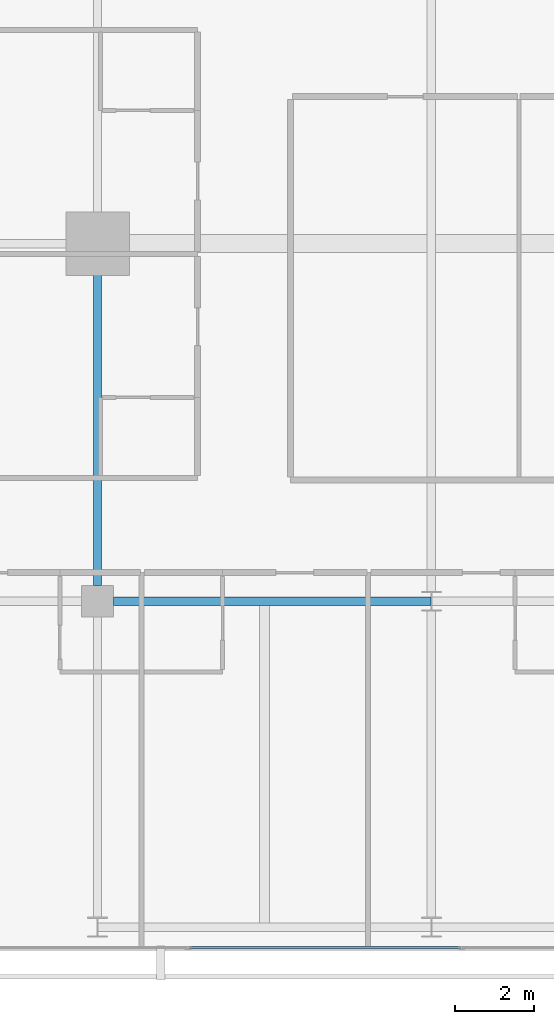
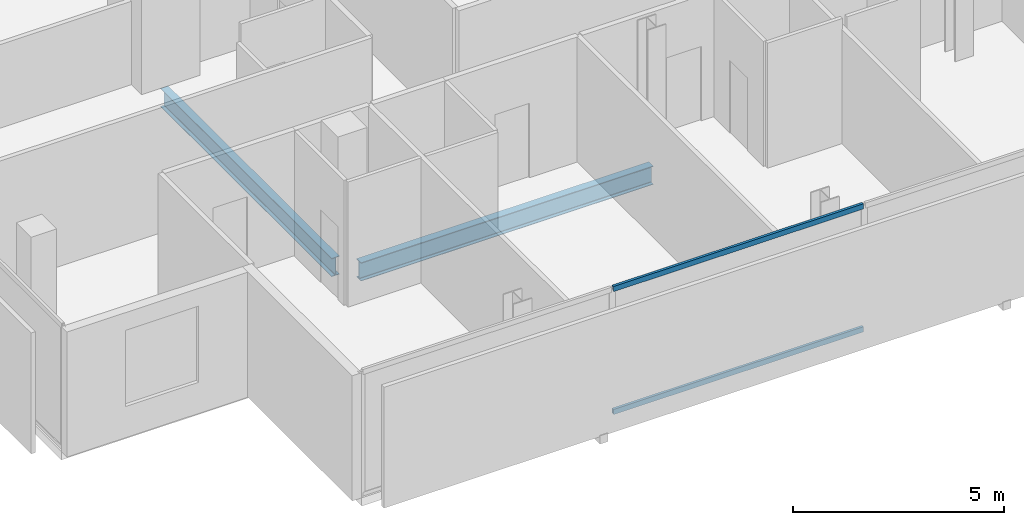
# One storey, part 5 of 26: 2 beams, 2 members, 1 element without a shape of its own.
"""IFC4 building model written with IfcOpenShell, lengths in metres."""

from ifc_helpers import new_model, si_unit, direction, frame, origin, origin_2d, place, context, subcontext, project, spatial, hollow_rectangle, i_section, extrude, material, layer, layer_set, material_profile, profile_set, type_object, element, aggregate, save


model = new_model("IFC4")

# Units and contexts
model_context = context("Model", 3, precision=1e-05, world=origin(), true_north=direction((0.0, 1.0)))
body_context = subcontext(model_context, "Body", "Model", "MODEL_VIEW")
ifc_project = project(units=[si_unit("LENGTHUNIT", "METRE"), si_unit("AREAUNIT", "SQUARE_METRE"), si_unit("VOLUMEUNIT", "CUBIC_METRE"), si_unit("PLANEANGLEUNIT", "RADIAN"), si_unit("MASSUNIT", "GRAM", prefix="KILO")], contexts=[model_context])

# Site, building, storey
site_placement = place(None, origin())
site = spatial("IfcSite", under=ifc_project, at=site_placement, CompositionType="ELEMENT")
building_placement = place(site_placement, origin())
building = spatial("IfcBuilding", under=site, at=building_placement, Name="Maruvema Waterfront Hotel and Observation Tower", CompositionType="ELEMENT")
storey_placement = place(building_placement, frame((0.0, 0.0, 243.25)))
storey = spatial("IfcBuildingStorey", under=building, at=storey_placement, Name="L59", CompositionType="ELEMENT", Elevation=243.25)

# Curtain wall, members
ifc_material_1 = material(Name="Anodised bronze aluminium and solar-control low-E IGU", Category="aluminium")
ifc_layer = layer(ifc_material_1, 0.159912109375, Name="Zone 3 Champagne Inner Thermal Curtain Wall System CW-04")
ifc_layer_set = layer_set([ifc_layer], Name="Anodised bronze aluminium and solar-control low-E IGU")
curtain_wall_type = type_object("IfcCurtainWallType", Name="Zone 3 Champagne Inner Thermal Curtain Wall System CW-04", PredefinedType="USERDEFINED", material=ifc_layer_set)
curtain_wall_placement = place(storey_placement, origin())
curtain_wall = element("IfcCurtainWall", 1, at=curtain_wall_placement, inside=storey, type_object=curtain_wall_type, Name="L59 Curtain Wall CW-L59-S", ObjectType="UNITISED CURTAIN WALL", PredefinedType="USERDEFINED")
ifc_material_2 = material(Name="Anodised architectural bronze aluminium", Category="aluminium")
ifc_material_profile_1 = material_profile(ifc_material_2, hollow_rectangle(XDim=0.070068359375, YDim=0.14990234375, WallThickness=0.00390625, at=origin_2d()), Name="ALU-T70x150")
ifc_profile_set_1 = profile_set([ifc_material_profile_1], Name="Anodised architectural bronze aluminium")
member_type = type_object("IfcMemberType", Name="Curtain Wall Horizontal Transom ALU-T70x150", PredefinedType="USERDEFINED", material=ifc_profile_set_1)
member_1_placement = place(storey_placement, frame((27.510009765625, 9.280029296875, 0.030029296875), z_axis=(1.0, 0.0, 0.0), x_axis=(0.0, 1.0, 0.0)))
member_1 = element("IfcMember", 2, at=member_1_placement, type_object=member_type, Name="CW-04 transom 2.1", ObjectType="TRANSOM", PredefinedType="USERDEFINED", context=body_context, shape_type="SweptSolid", body=[
    extrude(hollow_rectangle(XDim=0.070068359375, YDim=0.14990234375, WallThickness=0.00390625, at=origin_2d()), origin(), (0.0, 0.0, 1.0), 6.820068359375),
])
member_2_placement = place(storey_placement, frame((27.510009765625, 9.280029296875, 3.580078125), z_axis=(1.0, 0.0, 0.0), x_axis=(0.0, 1.0, 0.0)))
member_2 = element("IfcMember", 3, at=member_2_placement, type_object=member_type, Name="CW-04 transom 2.2", ObjectType="TRANSOM", PredefinedType="USERDEFINED", context=body_context, shape_type="SweptSolid", body=[
    extrude(hollow_rectangle(XDim=0.070068359375, YDim=0.14990234375, WallThickness=0.00390625, at=origin_2d()), origin(), (0.0, 0.0, 1.0), 6.820068359375),
])
aggregate(curtain_wall, [member_1, member_2])

# Beams
ifc_material_3 = material(Name="Steel ASTM A572 Grade 50", Category="steel")
ifc_material_profile_2 = material_profile(ifc_material_3, i_section(OverallWidth=0.208984375, OverallDepth=0.532958984375, WebThickness=0.01025390625, FlangeThickness=0.015625, FilletRadius=0.014892578125, at=origin_2d()), Name="W530x92.0")
ifc_profile_set_2 = profile_set([ifc_material_profile_2], Name="Steel ASTM A572 Grade 50")
beam_type = type_object("IfcBeamType", Name="Primary Floor Girder W530x92.0", PredefinedType="BEAM", material=ifc_profile_set_2)
beam_1_placement = place(storey_placement, frame((25.60009765625, 18.0, -0.506591796875), z_axis=(1.0, 0.0, 0.0), x_axis=(0.0, 1.0, 0.0)))
element("IfcBeam", 4, at=beam_1_placement, inside=storey, type_object=beam_type, Name="L59 Floor Girder EW-05", PredefinedType="BEAM", context=body_context, shape_type="SweptSolid", body=[
    extrude(i_section(OverallWidth=0.208984375, OverallDepth=0.532958984375, WebThickness=0.01025390625, FlangeThickness=0.015625, FilletRadius=0.014892578125, at=origin_2d()), origin(), (0.0, 0.0, 1.0), 7.989013671875),
])
beam_2_placement = place(storey_placement, frame((25.199951171875, 18.39990234375, -0.506591796875), z_axis=(0.0, 1.0, 0.0), x_axis=(-1.0, 0.0, 0.0)))
element("IfcBeam", 5, at=beam_2_placement, inside=storey, type_object=beam_type, Name="L59 Floor Girder NS-05", PredefinedType="BEAM", context=body_context, shape_type="SweptSolid", body=[
    extrude(i_section(OverallWidth=0.208984375, OverallDepth=0.532958984375, WebThickness=0.01025390625, FlangeThickness=0.015625, FilletRadius=0.014892578125, at=origin_2d()), origin(), (0.0, 0.0, 1.0), 8.10009765625),
])

save(model, "model.ifc")
